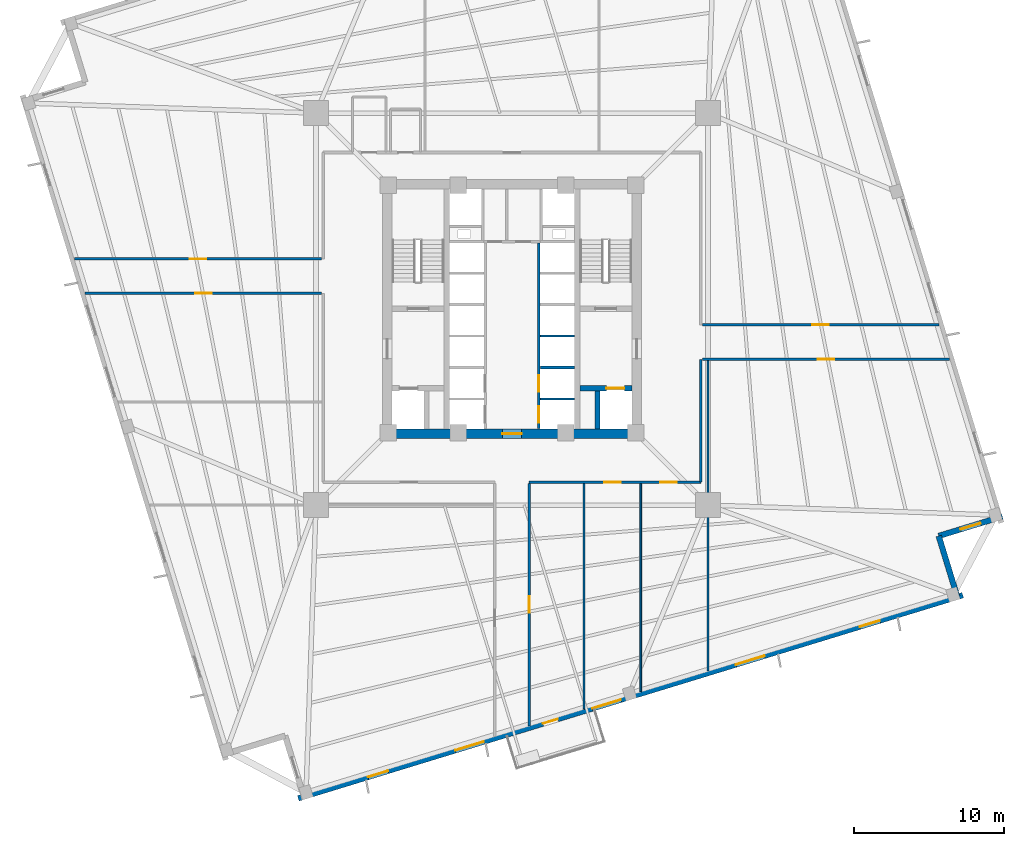
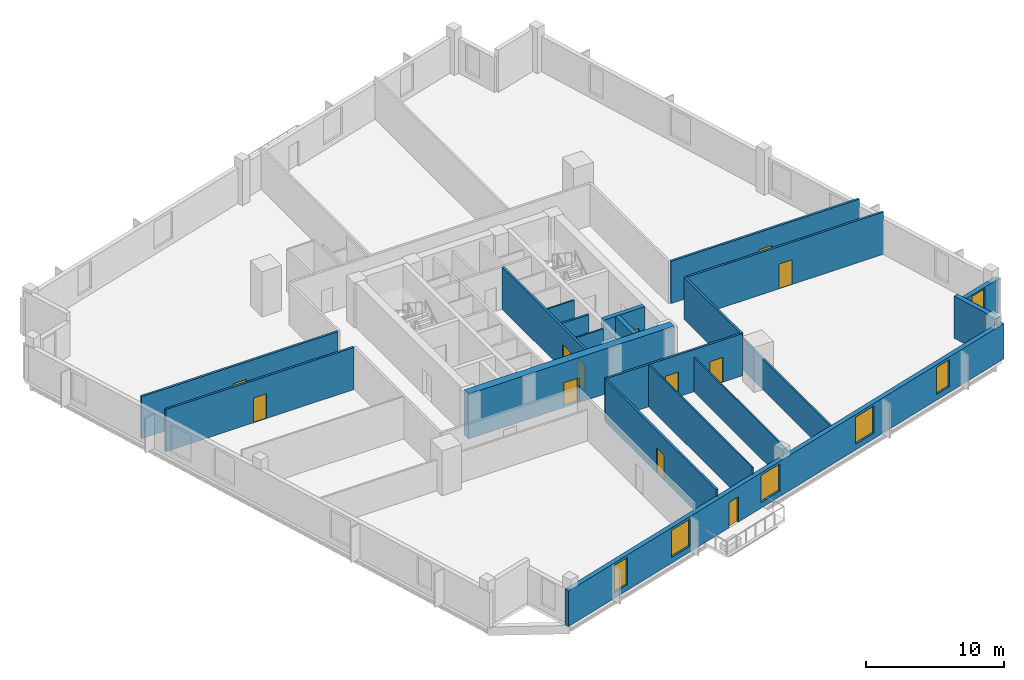
# One storey, part 3 of 8: 20 walls, 12 doors, 6 windows, 18 openings.
"""IFC4 building model written with IfcOpenShell, lengths in metres."""

from ifc_helpers import new_model, si_unit, direction, frame, frame_2d, origin, place, context, subcontext, project, spatial, rectangle, extrude, source, transform, mapped, material, layer, layer_set, type_object, element, fill, save


model = new_model("IFC4")

# Units and contexts
model_context = context("Model", 3, precision=1e-05, world=origin(), true_north=direction((0.0, 1.0)))
body_context = subcontext(model_context, "Body", "Model", "MODEL_VIEW")
ifc_project = project(units=[si_unit("LENGTHUNIT", "METRE"), si_unit("AREAUNIT", "SQUARE_METRE"), si_unit("VOLUMEUNIT", "CUBIC_METRE"), si_unit("PLANEANGLEUNIT", "RADIAN"), si_unit("MASSUNIT", "GRAM", prefix="KILO"), si_unit("THERMODYNAMICTEMPERATUREUNIT", "KELVIN")], contexts=[model_context])

# Site, building, storey
site_placement = place(None, origin())
site = spatial("IfcSite", under=ifc_project, at=site_placement, CompositionType="ELEMENT")
building_placement = place(site_placement, origin())
building = spatial("IfcBuilding", under=site, at=building_placement, Name="Kosmvard Interchange Tower", CompositionType="ELEMENT")
storey_placement = place(building_placement, frame((0.0, 0.0, 115.199951171875)))
storey = spatial("IfcBuildingStorey", under=building, at=storey_placement, Name="L27", CompositionType="ELEMENT", Elevation=115.199951171875)

# Wall
ifc_material_1 = material(Name="Acoustic gypsum partition system")
ifc_layer_1 = layer(ifc_material_1, 0.14990234375, Name="Acoustic gypsum partition system")
ifc_layer_set_1 = layer_set([ifc_layer_1], Name="Acoustic gypsum partition system")
wall_type_1 = type_object("IfcWallType", Name="Acoustic Suite & Meeting Partition 150", PredefinedType="PARTITIONING", material=ifc_layer_set_1)
wall_1_placement = place(storey_placement, frame((13.0810546875, -24.16650390625, 0.0), z_axis=(0.0, 0.0, 1.0), x_axis=(0.0, 1.0, 0.0)))
element("IfcWall", 1, at=wall_1_placement, inside=storey, type_object=wall_type_1, Name="L27 Room Partition 05.1", PredefinedType="PARTITIONING", context=body_context, shape_type="SweptSolid", body=[
    extrude(rectangle(XDim=20.721435546875, YDim=0.14990234375, at=frame_2d((10.36083984375, 0.0))), origin(), (0.0, 0.0, 1.0), 2.73193359375),
])

# Wall, openings, doors
ifc_material_2 = material(Name="Fire-rated gypsum partition system")
ifc_layer_2 = layer(ifc_material_2, 0.179931640625, Name="Fire-rated gypsum partition system")
ifc_layer_set_2 = layer_set([ifc_layer_2], Name="Fire-rated gypsum partition system")
wall_type_2 = type_object("IfcWallType", Name="Corridor & Hotel Compartment Partition 180", PredefinedType="PARTITIONING", material=ifc_layer_set_2)
wall_2_placement = place(storey_placement, frame((1.7900390625, -7.97998046875, 0.0), z_axis=(0.0, 0.0, 1.0), x_axis=(0.0, 1.0, 0.0)))
wall_2 = element("IfcWall", 2, at=wall_2_placement, inside=storey, type_object=wall_type_2, Name="L27 East Lift Bank Front Wall", PredefinedType="PARTITIONING", context=body_context, shape_type="SweptSolid", body=[
    extrude(rectangle(XDim=12.3798828125, YDim=0.179931640625, at=frame_2d((6.18994140625, 0.0))), origin(), (0.0, 0.0, 1.0), 3.739990234375),
])
opening_1_placement = place(wall_2_placement, frame((0.39990234375, 0.0, 0.0)))
opening_1 = element("IfcOpeningElement", 3, at=opening_1_placement, cuts=wall_2, Name="Opening LD-PL-L3-L27", PredefinedType="OPENING", context=body_context, shape_type="SweptSolid", body=[
    extrude(rectangle(XDim=1.10009765625, YDim=2.199951171875, at=frame_2d((0.550048828125, 1.10009765625))), frame((0.0, 0.10009765625, 0.0), z_axis=(0.0, -1.0, 0.0), x_axis=(1.0, 0.0, 0.0)), (0.0, 0.0, 1.0), 0.199951171875),
])
opening_2_placement = place(wall_2_placement, frame((2.4599609375, 0.0, 0.0)))
opening_2 = element("IfcOpeningElement", 4, at=opening_2_placement, cuts=wall_2, Name="Opening LD-PL-L4-L27", PredefinedType="OPENING", context=body_context, shape_type="SweptSolid", body=[
    extrude(rectangle(XDim=1.10009765625, YDim=2.199951171875, at=frame_2d((0.550048828125, 1.10009765625))), frame((0.0, 0.10009765625, 0.0), z_axis=(0.0, -1.0, 0.0), x_axis=(1.0, 0.0, 0.0)), (0.0, 0.0, 1.0), 0.199951171875),
])
ifc_material_3 = material(Name="Brushed stainless steel sliding leaf", Category="steel")
door_type_1 = type_object("IfcDoorType", Name="Passenger Lift Sliding Landing Door 1100x2200 EI60", OperationType="DOUBLE_DOOR_SLIDING", PredefinedType="DOOR", material=ifc_material_3)
shared_shape_1 = source(origin(), body_context, "Body", "SweptSolid", [
    extrude(rectangle(XDim=1.10009765625, YDim=2.199951171875, at=frame_2d((0.550048828125, 1.10009765625))), frame((0.0, 0.02490234375, 0.0), z_axis=(0.0, -1.0, 0.0), x_axis=(1.0, 0.0, 0.0)), (0.0, 0.0, 1.0), 0.050048828125),
])
door_1_placement = place(opening_1_placement, origin())
door_1 = element("IfcDoor", 5, at=door_1_placement, inside=storey, type_object=door_type_1, Name="Lift PL-L3 Landing Door L27", OperationType="DOUBLE_DOOR_SLIDING", OverallHeight=2.199951171875, OverallWidth=1.10009765625, PredefinedType="DOOR", context=body_context, shape_type="MappedRepresentation", body=[
    mapped(shared_shape_1, transform((0.0, 0.0, 0.0), scale=1.0)),
])
fill(opening_1, door_1)
door_2_placement = place(opening_2_placement, origin())
door_2 = element("IfcDoor", 6, at=door_2_placement, inside=storey, type_object=door_type_1, Name="Lift PL-L4 Landing Door L27", OperationType="DOUBLE_DOOR_SLIDING", OverallHeight=2.199951171875, OverallWidth=1.10009765625, PredefinedType="DOOR", context=body_context, shape_type="MappedRepresentation", body=[
    mapped(shared_shape_1, transform((0.0, 0.0, 0.0), scale=1.0)),
])
fill(opening_2, door_2)

wall_3_placement = place(storey_placement, frame((1.14990234375, -11.550048828125, 0.0), z_axis=(0.0, 0.0, 1.0), x_axis=(1.0, 0.0, 0.0)))
wall_3 = element("IfcWall", 7, at=wall_3_placement, inside=storey, type_object=wall_type_2, Name="L27 Corridor Wall CSE", PredefinedType="PARTITIONING", context=body_context, shape_type="SweptSolid", body=[
    extrude(rectangle(XDim=11.4501953125, YDim=0.179931640625, at=frame_2d((5.72509765625, 0.0))), origin(), (0.0, 0.0, 1.0), 3.739990234375),
])
opening_3_placement = place(wall_3_placement, frame((5.0, 0.0, 0.0)))
opening_3 = element("IfcOpeningElement", 8, at=opening_3_placement, cuts=wall_3, Name="Opening L27-D07", PredefinedType="OPENING", context=body_context, shape_type="SweptSolid", body=[
    extrude(rectangle(XDim=1.10009765625, YDim=2.199951171875, at=frame_2d((0.550048828125, 1.10009765625))), frame((0.0, 0.10009765625, 0.0), z_axis=(0.0, -1.0, 0.0), x_axis=(1.0, 0.0, 0.0)), (0.0, 0.0, 1.0), 0.199951171875),
])
opening_4_placement = place(wall_3_placement, frame((8.735595703125, 0.0, 0.0)))
opening_4 = element("IfcOpeningElement", 9, at=opening_4_placement, cuts=wall_3, Name="Opening L27-D08", PredefinedType="OPENING", context=body_context, shape_type="SweptSolid", body=[
    extrude(rectangle(XDim=1.10009765625, YDim=2.199951171875, at=frame_2d((0.550048828125, 1.10009765625))), frame((0.0, 0.10009765625, 0.0), z_axis=(0.0, -1.0, 0.0), x_axis=(1.0, 0.0, 0.0)), (0.0, 0.0, 1.0), 0.199951171875),
])
ifc_material_4 = material(Name="Engineered oak fire-rated timber", Category="wood")
door_type_2 = type_object("IfcDoorType", Name="Office Suite Entrance Door 1100x2200 FD30S", OperationType="NOTDEFINED", PredefinedType="DOOR", material=ifc_material_4)
door_3_placement = place(opening_3_placement, frame((1.10009765625, 0.0, 0.0), z_axis=(0.0, 0.0, 1.0), x_axis=(-1.0, 0.0, 0.0)))
door_3 = element("IfcDoor", 10, at=door_3_placement, inside=storey, type_object=door_type_2, Name="L27 Corporate Banking Kiosk Door", OperationType="SINGLE_SWING_LEFT", OverallHeight=2.199951171875, OverallWidth=1.10009765625, PredefinedType="DOOR", context=body_context, shape_type="MappedRepresentation", body=[
    mapped(shared_shape_1, transform((0.0, 0.0, 0.0), scale=1.0)),
])
fill(opening_3, door_3)
door_4_placement = place(opening_4_placement, frame((1.10009765625, 0.0, 0.0), z_axis=(0.0, 0.0, 1.0), x_axis=(-1.0, 0.0, 0.0)))
door_4 = element("IfcDoor", 11, at=door_4_placement, inside=storey, type_object=door_type_2, Name="L27 East Risk Office Door", OperationType="SINGLE_SWING_RIGHT", OverallHeight=2.199951171875, OverallWidth=1.10009765625, PredefinedType="DOOR", context=body_context, shape_type="MappedRepresentation", body=[
    mapped(shared_shape_1, transform((0.0, 0.0, 0.0), scale=1.0)),
])
fill(opening_4, door_4)

# Wall
wall_4_placement = place(storey_placement, frame((12.60009765625, -11.550048828125, 0.0), z_axis=(0.0, 0.0, 1.0), x_axis=(0.0, 1.0, 0.0)))
element("IfcWall", 12, at=wall_4_placement, inside=storey, type_object=wall_type_2, Name="L27 Corridor Wall CES", PredefinedType="PARTITIONING", context=body_context, shape_type="SweptSolid", body=[
    extrude(rectangle(XDim=8.199951171875, YDim=0.179931640625, at=frame_2d((4.10009765625, 0.0))), origin(), (0.0, 0.0, 1.0), 3.739990234375),
])

# Wall, opening, door
wall_5_placement = place(storey_placement, frame((-28.48681640625, 1.050048828125, 0.0), z_axis=(0.0, 0.0, 1.0), x_axis=(1.0, 0.0, 0.0)))
wall_5 = element("IfcWall", 13, at=wall_5_placement, inside=storey, type_object=wall_type_2, Name="L27 Corridor Wall SWS", PredefinedType="PARTITIONING", context=body_context, shape_type="SweptSolid", body=[
    extrude(rectangle(XDim=15.786865234375, YDim=0.179931640625, at=frame_2d((7.8935546875, 0.0))), origin(), (0.0, 0.0, 1.0), 3.739990234375),
])
opening_5_placement = place(wall_5_placement, frame((7.34326171875, 0.0, 0.0)))
opening_5 = element("IfcOpeningElement", 14, at=opening_5_placement, cuts=wall_5, Name="Opening L27-D10", PredefinedType="OPENING", context=body_context, shape_type="SweptSolid", body=[
    extrude(rectangle(XDim=1.10009765625, YDim=2.199951171875, at=frame_2d((0.550048828125, 1.10009765625))), frame((0.0, 0.10009765625, 0.0), z_axis=(0.0, -1.0, 0.0), x_axis=(1.0, 0.0, 0.0)), (0.0, 0.0, 1.0), 0.199951171875),
])
door_5_placement = place(opening_5_placement, frame((1.10009765625, 0.0, 0.0), z_axis=(0.0, 0.0, 1.0), x_axis=(-1.0, 0.0, 0.0)))
door_5 = element("IfcDoor", 15, at=door_5_placement, inside=storey, type_object=door_type_2, Name="L27 Coffee Bar Pantry Door", OperationType="SINGLE_SWING_RIGHT", OverallHeight=2.199951171875, OverallWidth=1.10009765625, PredefinedType="DOOR", context=body_context, shape_type="MappedRepresentation", body=[
    mapped(shared_shape_1, transform((0.0, 0.0, 0.0), scale=1.0)),
])
fill(opening_5, door_5)

wall_6_placement = place(storey_placement, frame((-29.18994140625, 3.35009765625, 0.0), z_axis=(0.0, 0.0, 1.0), x_axis=(1.0, 0.0, 0.0)))
wall_6 = element("IfcWall", 16, at=wall_6_placement, inside=storey, type_object=wall_type_2, Name="L27 Corridor Wall SWN", PredefinedType="PARTITIONING", context=body_context, shape_type="SweptSolid", body=[
    extrude(rectangle(XDim=16.489990234375, YDim=0.179931640625, at=frame_2d((8.2451171875, 0.0))), origin(), (0.0, 0.0, 1.0), 3.739990234375),
])
opening_6_placement = place(wall_6_placement, frame((7.695068359375, 0.0, 0.0)))
opening_6 = element("IfcOpeningElement", 17, at=opening_6_placement, cuts=wall_6, Name="Opening L27-D03", PredefinedType="OPENING", context=body_context, shape_type="SweptSolid", body=[
    extrude(rectangle(XDim=1.10009765625, YDim=2.199951171875, at=frame_2d((0.550048828125, 1.10009765625))), frame((0.0, 0.10009765625, 0.0), z_axis=(0.0, -1.0, 0.0), x_axis=(1.0, 0.0, 0.0)), (0.0, 0.0, 1.0), 0.199951171875),
])
door_6_placement = place(opening_6_placement, origin())
door_6 = element("IfcDoor", 18, at=door_6_placement, inside=storey, type_object=door_type_2, Name="L27 North-West Executive Lounge Door", OperationType="SINGLE_SWING_LEFT", OverallHeight=2.199951171875, OverallWidth=1.10009765625, PredefinedType="DOOR", context=body_context, shape_type="MappedRepresentation", body=[
    mapped(shared_shape_1, transform((0.0, 0.0, 0.0), scale=1.0)),
])
fill(opening_6, door_6)

wall_7_placement = place(storey_placement, frame((12.699951171875, -3.35009765625, 0.0), z_axis=(0.0, 0.0, 1.0), x_axis=(1.0, 0.0, 0.0)))
wall_7 = element("IfcWall", 19, at=wall_7_placement, inside=storey, type_object=wall_type_2, Name="L27 Corridor Wall SES", PredefinedType="PARTITIONING", context=body_context, shape_type="SweptSolid", body=[
    extrude(rectangle(XDim=16.489990234375, YDim=0.179931640625, at=frame_2d((8.2451171875, 0.0))), origin(), (0.0, 0.0, 1.0), 3.739990234375),
])
opening_7_placement = place(wall_7_placement, frame((7.720947265625, 0.0, 0.0)))
opening_7 = element("IfcOpeningElement", 20, at=opening_7_placement, cuts=wall_7, Name="Opening L27-D09", PredefinedType="OPENING", context=body_context, shape_type="SweptSolid", body=[
    extrude(rectangle(XDim=1.10009765625, YDim=2.199951171875, at=frame_2d((0.550048828125, 1.10009765625))), frame((0.0, 0.10009765625, 0.0), z_axis=(0.0, -1.0, 0.0), x_axis=(1.0, 0.0, 0.0)), (0.0, 0.0, 1.0), 0.199951171875),
])
door_7_placement = place(opening_7_placement, frame((1.10009765625, 0.0, 0.0), z_axis=(0.0, 0.0, 1.0), x_axis=(-1.0, 0.0, 0.0)))
door_7 = element("IfcDoor", 21, at=door_7_placement, inside=storey, type_object=door_type_2, Name="L27 East Quiet Study Door", OperationType="SINGLE_SWING_LEFT", OverallHeight=2.199951171875, OverallWidth=1.10009765625, PredefinedType="DOOR", context=body_context, shape_type="MappedRepresentation", body=[
    mapped(shared_shape_1, transform((0.0, 0.0, 0.0), scale=1.0)),
])
fill(opening_7, door_7)

wall_8_placement = place(storey_placement, frame((12.699951171875, -1.050048828125, 0.0), z_axis=(0.0, 0.0, 1.0), x_axis=(1.0, 0.0, 0.0)))
wall_8 = element("IfcWall", 22, at=wall_8_placement, inside=storey, type_object=wall_type_2, Name="L27 Corridor Wall SEN", PredefinedType="PARTITIONING", context=body_context, shape_type="SweptSolid", body=[
    extrude(rectangle(XDim=15.786865234375, YDim=0.179931640625, at=frame_2d((7.8935546875, 0.0))), origin(), (0.0, 0.0, 1.0), 3.739990234375),
])
opening_8_placement = place(wall_8_placement, frame((7.34326171875, 0.0, 0.0)))
opening_8 = element("IfcOpeningElement", 23, at=opening_8_placement, cuts=wall_8, Name="Opening L27-D05", PredefinedType="OPENING", context=body_context, shape_type="SweptSolid", body=[
    extrude(rectangle(XDim=1.10009765625, YDim=2.199951171875, at=frame_2d((0.550048828125, 1.10009765625))), frame((0.0, 0.10009765625, 0.0), z_axis=(0.0, -1.0, 0.0), x_axis=(1.0, 0.0, 0.0)), (0.0, 0.0, 1.0), 0.199951171875),
])
door_8_placement = place(opening_8_placement, origin())
door_8 = element("IfcDoor", 24, at=door_8_placement, inside=storey, type_object=door_type_2, Name="L27 North-East Reading Study Door", OperationType="SINGLE_SWING_LEFT", OverallHeight=2.199951171875, OverallWidth=1.10009765625, PredefinedType="DOOR", context=body_context, shape_type="MappedRepresentation", body=[
    mapped(shared_shape_1, transform((0.0, 0.0, 0.0), scale=1.0)),
])
fill(opening_8, door_8)

wall_9_placement = place(storey_placement, frame((1.14990234375, -27.814208984375, 0.0), z_axis=(0.0, 0.0, 1.0), x_axis=(0.0, 1.0, 0.0)))
wall_9 = element("IfcWall", 25, at=wall_9_placement, inside=storey, type_object=wall_type_2, Name="L27 Corridor Wall SSE", PredefinedType="PARTITIONING", context=body_context, shape_type="SweptSolid", body=[
    extrude(rectangle(XDim=16.164306640625, YDim=0.179931640625, at=frame_2d((8.08203125, 0.0))), origin(), (0.0, 0.0, 1.0), 3.739990234375),
])
opening_9_placement = place(wall_9_placement, frame((7.531982421875, 0.0, 0.0)))
opening_9 = element("IfcOpeningElement", 26, at=opening_9_placement, cuts=wall_9, Name="Opening L27-D06", PredefinedType="OPENING", context=body_context, shape_type="SweptSolid", body=[
    extrude(rectangle(XDim=1.10009765625, YDim=2.199951171875, at=frame_2d((0.550048828125, 1.10009765625))), frame((0.0, 0.10009765625, 0.0), z_axis=(0.0, -1.0, 0.0), x_axis=(1.0, 0.0, 0.0)), (0.0, 0.0, 1.0), 0.199951171875),
])
door_9_placement = place(opening_9_placement, frame((1.10009765625, 0.0, 0.0), z_axis=(0.0, 0.0, 1.0), x_axis=(-1.0, 0.0, 0.0)))
door_9 = element("IfcDoor", 27, at=door_9_placement, inside=storey, type_object=door_type_2, Name="L27 Exchange Travel Shop Door", OperationType="SINGLE_SWING_RIGHT", OverallHeight=2.199951171875, OverallWidth=1.10009765625, PredefinedType="DOOR", context=body_context, shape_type="MappedRepresentation", body=[
    mapped(shared_shape_1, transform((0.0, 0.0, 0.0), scale=1.0)),
])
fill(opening_9, door_9)

# Wall, openings, door, windows
ifc_material_5 = material(Name="Precast concrete C45/55", Category="concrete")
ifc_layer_3 = layer(ifc_material_5, 0.3798828125, Name="Precast concrete C45/55")
ifc_layer_set_3 = layer_set([ifc_layer_3], Name="Precast concrete C45/55")
wall_type_3 = type_object("IfcWallType", Name="Lower Tower Precast Pier Wall 380 C45/55", PredefinedType="STANDARD", material=ifc_layer_set_3)
wall_10_placement = place(storey_placement, frame((-14.26513671875, -32.65771484375, 0.0), z_axis=(0.0, 0.0, 1.0), x_axis=(0.956304320851, 0.292373127906, 0.0)))
wall_10 = element("IfcWall", 28, at=wall_10_placement, inside=storey, type_object=wall_type_3, Name="L27 Precast Facade Wall F-S", PredefinedType="STANDARD", context=body_context, shape_type="SweptSolid", body=[
    extrude(rectangle(XDim=46.380126953125, YDim=0.3798828125, at=frame_2d((23.18994140625, 0.0))), origin(), (0.0, 0.0, 1.0), 3.14013671875),
])
opening_10_placement = place(wall_10_placement, frame((17.06494140625, 0.0, 0.0)))
opening_10 = element("IfcOpeningElement", 29, at=opening_10_placement, cuts=wall_10, Name="Opening L27-BDS", PredefinedType="OPENING", context=body_context, shape_type="SweptSolid", body=[
    extrude(rectangle(XDim=1.050048828125, YDim=2.25, at=frame_2d((0.52490234375, 1.125))), frame((0.0, 0.199951171875, 0.0), z_axis=(0.0, -1.0, 0.0), x_axis=(1.0, 0.0, 0.0)), (0.0, 0.0, 1.0), 0.39990234375),
])
opening_11_placement = place(wall_10_placement, frame((4.865478515625, 0.0, 0.510009765625)))
opening_11 = element("IfcOpeningElement", 30, at=opening_11_placement, cuts=wall_10, Name="Opening L27-W01", PredefinedType="OPENING", context=body_context, shape_type="SweptSolid", body=[
    extrude(rectangle(XDim=1.39990234375, YDim=2.39990234375, at=frame_2d((0.699951171875, 1.199951171875))), frame((0.0, 0.199951171875, 0.0), z_axis=(0.0, -1.0, 0.0), x_axis=(1.0, 0.0, 0.0)), (0.0, 0.0, 1.0), 0.39990234375),
])
opening_12_placement = place(wall_10_placement, frame((10.9501953125, 0.0, 0.510009765625)))
opening_12 = element("IfcOpeningElement", 31, at=opening_12_placement, cuts=wall_10, Name="Opening L27-W02", PredefinedType="OPENING", context=body_context, shape_type="SweptSolid", body=[
    extrude(rectangle(XDim=2.0, YDim=2.39990234375, at=frame_2d((1.0, 1.199951171875))), frame((0.0, 0.199951171875, 0.0), z_axis=(0.0, -1.0, 0.0), x_axis=(1.0, 0.0, 0.0)), (0.0, 0.0, 1.0), 0.39990234375),
])
opening_13_placement = place(wall_10_placement, frame((20.512451171875, 0.0, 0.510009765625)))
opening_13 = element("IfcOpeningElement", 32, at=opening_13_placement, cuts=wall_10, Name="Opening L27-W03", PredefinedType="OPENING", context=body_context, shape_type="SweptSolid", body=[
    extrude(rectangle(XDim=2.0, YDim=2.39990234375, at=frame_2d((1.0, 1.199951171875))), frame((0.0, 0.199951171875, 0.0), z_axis=(0.0, -1.0, 0.0), x_axis=(1.0, 0.0, 0.0)), (0.0, 0.0, 1.0), 0.39990234375),
])
opening_14_placement = place(wall_10_placement, frame((30.538330078125, 0.0, 0.510009765625)))
opening_14 = element("IfcOpeningElement", 33, at=opening_14_placement, cuts=wall_10, Name="Opening L27-W04", PredefinedType="OPENING", context=body_context, shape_type="SweptSolid", body=[
    extrude(rectangle(XDim=2.0, YDim=2.39990234375, at=frame_2d((1.0, 1.199951171875))), frame((0.0, 0.199951171875, 0.0), z_axis=(0.0, -1.0, 0.0), x_axis=(1.0, 0.0, 0.0)), (0.0, 0.0, 1.0), 0.39990234375),
])
opening_15_placement = place(wall_10_placement, frame((39.186767578125, 0.0, 0.510009765625)))
opening_15 = element("IfcOpeningElement", 34, at=opening_15_placement, cuts=wall_10, Name="Opening L27-W05", PredefinedType="OPENING", context=body_context, shape_type="SweptSolid", body=[
    extrude(rectangle(XDim=1.39990234375, YDim=2.39990234375, at=frame_2d((0.699951171875, 1.199951171875))), frame((0.0, 0.199951171875, 0.0), z_axis=(0.0, -1.0, 0.0), x_axis=(1.0, 0.0, 0.0)), (0.0, 0.0, 1.0), 0.39990234375),
])
ifc_material_6 = material(Name="Anodised aluminium and safety glass", Category="aluminium")
door_type_3 = type_object("IfcDoorType", Name="Tree-Balcony Glazed Door 1050x2250", OperationType="NOTDEFINED", PredefinedType="DOOR", material=ifc_material_6)
shared_shape_2 = source(origin(), body_context, "Body", "SweptSolid", [
    extrude(rectangle(XDim=1.050048828125, YDim=2.25, at=frame_2d((0.52490234375, 1.125))), frame((0.0, 0.02490234375, 0.0), z_axis=(0.0, -1.0, 0.0), x_axis=(1.0, 0.0, 0.0)), (0.0, 0.0, 1.0), 0.050048828125),
])
door_10_placement = place(opening_10_placement, origin())
door_10 = element("IfcDoor", 35, at=door_10_placement, inside=storey, type_object=door_type_3, Name="L27 Tree-Balcony Door BAL-L27-S", OperationType="SINGLE_SWING_RIGHT", OverallHeight=2.25, OverallWidth=1.050048828125, PredefinedType="DOOR", context=body_context, shape_type="MappedRepresentation", body=[
    mapped(shared_shape_2, transform((0.0, 0.0, 0.0), scale=1.0)),
])
fill(opening_10, door_10)
ifc_material_7 = material(Name="Low-E solar-control double glazing", Category="glass")
window_type_1 = type_object("IfcWindowType", Name="Notched Corner Feature Window 1400x2400", PartitioningType="SINGLE_PANEL", PredefinedType="WINDOW", material=ifc_material_7)
shared_shape_3 = source(origin(), body_context, "Body", "SweptSolid", [
    extrude(rectangle(XDim=1.39990234375, YDim=2.39990234375, at=frame_2d((0.699951171875, 1.199951171875))), frame((0.0, 0.030029296875, 0.0), z_axis=(0.0, -1.0, 0.0), x_axis=(1.0, 0.0, 0.0)), (0.0, 0.0, 1.0), 0.06005859375),
])
window_1_placement = place(opening_11_placement, origin())
window_1 = element("IfcWindow", 36, at=window_1_placement, inside=storey, type_object=window_type_1, Name="L27 Facade Punched Window 01", OverallHeight=2.39990234375, OverallWidth=1.39990234375, PartitioningType="SINGLE_PANEL", PredefinedType="WINDOW", context=body_context, shape_type="MappedRepresentation", body=[
    mapped(shared_shape_3, transform((0.0, 0.0, 0.0), scale=1.0)),
])
fill(opening_11, window_1)
window_2_placement = place(opening_15_placement, origin())
window_2 = element("IfcWindow", 37, at=window_2_placement, inside=storey, type_object=window_type_1, Name="L27 Facade Punched Window 05", OverallHeight=2.39990234375, OverallWidth=1.39990234375, PartitioningType="SINGLE_PANEL", PredefinedType="WINDOW", context=body_context, shape_type="MappedRepresentation", body=[
    mapped(shared_shape_3, transform((0.0, 0.0, 0.0), scale=1.0)),
])
fill(opening_15, window_2)
window_type_2 = type_object("IfcWindowType", Name="Zone 2 Office Punched Window 2000x2400", PartitioningType="SINGLE_PANEL", PredefinedType="WINDOW", material=ifc_material_7)
shared_shape_4 = source(origin(), body_context, "Body", "SweptSolid", [
    extrude(rectangle(XDim=2.0, YDim=2.39990234375, at=frame_2d((1.0, 1.199951171875))), frame((0.0, 0.030029296875, 0.0), z_axis=(0.0, -1.0, 0.0), x_axis=(1.0, 0.0, 0.0)), (0.0, 0.0, 1.0), 0.06005859375),
])
window_3_placement = place(opening_12_placement, origin())
window_3 = element("IfcWindow", 38, at=window_3_placement, inside=storey, type_object=window_type_2, Name="L27 Facade Punched Window 02", OverallHeight=2.39990234375, OverallWidth=2.0, PartitioningType="SINGLE_PANEL", PredefinedType="WINDOW", context=body_context, shape_type="MappedRepresentation", body=[
    mapped(shared_shape_4, transform((0.0, 0.0, 0.0), scale=1.0)),
])
fill(opening_12, window_3)
window_4_placement = place(opening_13_placement, origin())
window_4 = element("IfcWindow", 39, at=window_4_placement, inside=storey, type_object=window_type_2, Name="L27 Facade Punched Window 03", OverallHeight=2.39990234375, OverallWidth=2.0, PartitioningType="SINGLE_PANEL", PredefinedType="WINDOW", context=body_context, shape_type="MappedRepresentation", body=[
    mapped(shared_shape_4, transform((0.0, 0.0, 0.0), scale=1.0)),
])
fill(opening_13, window_4)
window_5_placement = place(opening_14_placement, origin())
window_5 = element("IfcWindow", 40, at=window_5_placement, inside=storey, type_object=window_type_2, Name="L27 Facade Punched Window 04", OverallHeight=2.39990234375, OverallWidth=2.0, PartitioningType="SINGLE_PANEL", PredefinedType="WINDOW", context=body_context, shape_type="MappedRepresentation", body=[
    mapped(shared_shape_4, transform((0.0, 0.0, 0.0), scale=1.0)),
])
fill(opening_14, window_5)

# Wall
wall_11_placement = place(storey_placement, frame((29.724853515625, -19.20849609375, 0.0), z_axis=(0.0, 0.0, 1.0), x_axis=(-0.292345507338, 0.956312764915, 0.0)))
element("IfcWall", 41, at=wall_11_placement, inside=storey, type_object=wall_type_3, Name="L27 Precast Facade Wall N-SE1", PredefinedType="STANDARD", context=body_context, shape_type="SweptSolid", body=[
    extrude(rectangle(XDim=4.249755859375, YDim=0.3798828125, at=frame_2d((2.125, 0.0))), origin(), (0.0, 0.0, 1.0), 3.739990234375),
])

# Wall, opening, window
wall_12_placement = place(storey_placement, frame((28.482421875, -15.144287109375, 0.0), z_axis=(0.0, 0.0, 1.0), x_axis=(0.956304176051, 0.292373601522, 0.0)))
wall_12 = element("IfcWall", 42, at=wall_12_placement, inside=storey, type_object=wall_type_3, Name="L27 Precast Facade Wall N-SE2", PredefinedType="STANDARD", context=body_context, shape_type="SweptSolid", body=[
    extrude(rectangle(XDim=4.43994140625, YDim=0.3798828125, at=frame_2d((2.219970703125, 0.0))), origin(), (0.0, 0.0, 1.0), 3.0400390625),
])
opening_16_placement = place(wall_12_placement, frame((1.52001953125, 0.0, 0.510009765625)))
opening_16 = element("IfcOpeningElement", 43, at=opening_16_placement, cuts=wall_12, Name="Opening L27-W20", PredefinedType="OPENING", context=body_context, shape_type="SweptSolid", body=[
    extrude(rectangle(XDim=1.39990234375, YDim=2.39990234375, at=frame_2d((0.699951171875, 1.199951171875))), frame((0.0, 0.199951171875, 0.0), z_axis=(0.0, -1.0, 0.0), x_axis=(1.0, 0.0, 0.0)), (0.0, 0.0, 1.0), 0.39990234375),
])
window_6_placement = place(opening_16_placement, origin())
window_6 = element("IfcWindow", 44, at=window_6_placement, inside=storey, type_object=window_type_1, Name="L27 Corner Notch Window 20", OverallHeight=2.39990234375, OverallWidth=1.39990234375, PartitioningType="SINGLE_PANEL", PredefinedType="WINDOW", context=body_context, shape_type="MappedRepresentation", body=[
    mapped(shared_shape_3, transform((0.0, 0.0, 0.0), scale=1.0)),
])
fill(opening_16, window_6)

# Wall, opening, door
ifc_material_8 = material(Name="Concrete C70/85", Category="concrete")
ifc_layer_4 = layer(ifc_material_8, 0.64990234375, Name="Concrete C70/85")
ifc_layer_set_4 = layer_set([ifc_layer_4], Name="Concrete C70/85")
wall_type_4 = type_object("IfcWallType", Name="Mid Core Shear Wall 650 C70/85", PredefinedType="SHEAR", material=ifc_layer_set_4)
wall_13_placement = place(storey_placement, frame((-8.64990234375, -8.324951171875, 0.0), z_axis=(0.0, 0.0, 1.0), x_axis=(1.0, 0.0, 0.0)))
wall_13 = element("IfcWall", 45, at=wall_13_placement, inside=storey, type_object=wall_type_4, Name="L27 Core Shear Wall CW-S", PredefinedType="SHEAR", context=body_context, shape_type="SweptSolid", body=[
    extrude(rectangle(XDim=17.2998046875, YDim=0.64990234375, at=frame_2d((8.64990234375, 0.0))), origin(), (0.0, 0.0, 1.0), 4.0),
])
opening_17_placement = place(wall_13_placement, frame((8.0, 0.0, 0.0)))
opening_17 = element("IfcOpeningElement", 46, at=opening_17_placement, cuts=wall_13, Name="Opening L27-LD0", PredefinedType="OPENING", context=body_context, shape_type="SweptSolid", body=[
    extrude(rectangle(XDim=1.300048828125, YDim=2.199951171875, at=frame_2d((0.64990234375, 1.10009765625))), frame((0.0, 0.3349609375, 0.0), z_axis=(0.0, -1.0, 0.0), x_axis=(1.0, 0.0, 0.0)), (0.0, 0.0, 1.0), 0.669921875),
])
ifc_material_9 = material(Name="Painted fire-rated steel leaf", Category="steel")
door_type_4 = type_object("IfcDoorType", Name="Firefighting Lobby Door 1300x2200 EI60", OperationType="NOTDEFINED", PredefinedType="DOOR", material=ifc_material_9)
shared_shape_5 = source(origin(), body_context, "Body", "SweptSolid", [
    extrude(rectangle(XDim=1.300048828125, YDim=2.199951171875, at=frame_2d((0.64990234375, 1.10009765625))), frame((0.0, 0.02490234375, 0.0), z_axis=(0.0, -1.0, 0.0), x_axis=(1.0, 0.0, 0.0)), (0.0, 0.0, 1.0), 0.050048828125),
])
door_11_placement = place(opening_17_placement, frame((1.300048828125, 0.0, 0.0), z_axis=(0.0, 0.0, 1.0), x_axis=(-1.0, 0.0, 0.0)))
door_11 = element("IfcDoor", 47, at=door_11_placement, inside=storey, type_object=door_type_4, Name="L27 Passenger Lift Lobby South Door", OperationType="SINGLE_SWING_LEFT", OverallHeight=2.199951171875, OverallWidth=1.300048828125, PredefinedType="DOOR", context=body_context, shape_type="MappedRepresentation", body=[
    mapped(shared_shape_5, transform((0.0, 0.0, 0.0), scale=1.0)),
])
fill(opening_17, door_11)

# Walls
ifc_material_10 = material(Name="Gypsum board partition system")
ifc_layer_5 = layer(ifc_material_10, 0.1201171875, Name="Gypsum board partition system")
ifc_layer_set_5 = layer_set([ifc_layer_5], Name="Gypsum board partition system")
wall_type_5 = type_object("IfcWallType", Name="Office Cellular Partition 120", PredefinedType="PARTITIONING", material=ifc_layer_set_5)
wall_14_placement = place(storey_placement, frame((4.800048828125, -26.6982421875, 0.0), z_axis=(0.0, 0.0, 1.0), x_axis=(0.0, 1.0, 0.0)))
element("IfcWall", 48, at=wall_14_placement, inside=storey, type_object=wall_type_5, Name="L27 Room Partition 03.1", PredefinedType="PARTITIONING", context=body_context, shape_type="SweptSolid", body=[
    extrude(rectangle(XDim=15.05322265625, YDim=0.1201171875, at=frame_2d((7.526611328125, 0.0))), origin(), (0.0, 0.0, 1.0), 3.739990234375),
])
wall_15_placement = place(storey_placement, frame((8.60009765625, -25.536376953125, 0.0), z_axis=(0.0, 0.0, 1.0), x_axis=(0.0, 1.0, 0.0)))
element("IfcWall", 49, at=wall_15_placement, inside=storey, type_object=wall_type_5, Name="L27 Room Partition 04.1", PredefinedType="PARTITIONING", context=body_context, shape_type="SweptSolid", body=[
    extrude(rectangle(XDim=13.891357421875, YDim=0.1201171875, at=frame_2d((6.94580078125, 0.0))), origin(), (0.0, 0.0, 1.0), 3.0400390625),
])
ifc_material_11 = material(Name="Concrete blockwork masonry", Category="masonry")
ifc_layer_6 = layer(ifc_material_11, 0.179931640625, Name="Concrete blockwork masonry")
ifc_layer_set_6 = layer_set([ifc_layer_6], Name="Concrete blockwork masonry")
wall_type_6 = type_object("IfcWallType", Name="Riser & Lift Bank Divider Wall 180", PredefinedType="PARTITIONING", material=ifc_layer_set_6)
wall_16_placement = place(storey_placement, frame((1.889892578125, -3.89990234375, 0.0), z_axis=(0.0, 0.0, 1.0), x_axis=(1.0, 0.0, 0.0)))
element("IfcWall", 50, at=wall_16_placement, inside=storey, type_object=wall_type_6, Name="L27 East Bank Divider BD1", PredefinedType="PARTITIONING", context=body_context, shape_type="SweptSolid", body=[
    extrude(rectangle(XDim=2.280029296875, YDim=0.179931640625, at=frame_2d((1.14013671875, 0.0))), origin(), (0.0, 0.0, 1.0), 3.739990234375),
])
ifc_material_12 = material(Name="Fire-rated gypsum shaftwall system")
ifc_layer_7 = layer(ifc_material_12, 0.1201171875, Name="Fire-rated gypsum shaftwall system")
ifc_layer_set_7 = layer_set([ifc_layer_7], Name="Fire-rated gypsum shaftwall system")
wall_type_7 = type_object("IfcWallType", Name="Shaft & Riser Fire Partition 120 EI60", PredefinedType="PARTITIONING", material=ifc_layer_set_7)
for number, where, z_axis, x_axis, name in (
    (51, (1.89990234375, -6.0, 0.0), (0.0, 0.0, 1.0), (1.0, 0.0, 0.0), "L27 Shaft Divider PL-L3"),
    (52, (1.89990234375, -1.800048828125, 0.0), (0.0, 0.0, 1.0), (1.0, 0.0, 0.0), "L27 Shaft Divider PL-M3"),
):
    element("IfcWall", number, at=place(storey_placement, frame(where, z_axis=z_axis, x_axis=x_axis)), inside=storey, type_object=wall_type_7, Name=name, PredefinedType="PARTITIONING", context=body_context, shape_type="SweptSolid", body=[
        extrude(rectangle(XDim=2.260009765625, YDim=0.1201171875, at=frame_2d((1.1298828125, 0.0))), origin(), (0.0, 0.0, 1.0), 3.739990234375),
    ])

# Wall, opening, door
ifc_material_13 = material(Name="Concrete C60/75", Category="concrete")
ifc_layer_8 = layer(ifc_material_13, 0.360107421875, Name="Concrete C60/75")
ifc_layer_set_8 = layer_set([ifc_layer_8], Name="Concrete C60/75")
wall_type_8 = type_object("IfcWallType", Name="Stair & Lift Shaft Shear Wall 360 C60/75", PredefinedType="SHEAR", material=ifc_layer_set_8)
wall_17_placement = place(storey_placement, frame((4.5400390625, -5.280029296875, 0.0), z_axis=(0.0, 0.0, 1.0), x_axis=(1.0, 0.0, 0.0)))
wall_17 = element("IfcWall", 53, at=wall_17_placement, inside=storey, type_object=wall_type_8, Name="L27 Shaft Shear Wall SW-FF2", PredefinedType="SHEAR", context=body_context, shape_type="SweptSolid", body=[
    extrude(rectangle(XDim=3.4599609375, YDim=0.360107421875, at=frame_2d((1.72998046875, 0.0))), origin(), (0.0, 0.0, 1.0), 4.0),
])
opening_18_placement = place(wall_17_placement, frame((1.760009765625, 0.0, 0.0)))
opening_18 = element("IfcOpeningElement", 54, at=opening_18_placement, cuts=wall_17, Name="Opening LD-FF-2-L27", PredefinedType="OPENING", context=body_context, shape_type="SweptSolid", body=[
    extrude(rectangle(XDim=1.199951171875, YDim=2.25, at=frame_2d((0.60009765625, 1.125))), frame((0.0, 0.18994140625, 0.0), z_axis=(0.0, -1.0, 0.0), x_axis=(1.0, 0.0, 0.0)), (0.0, 0.0, 1.0), 0.380126953125),
])
door_type_5 = type_object("IfcDoorType", Name="Firefighting Lift Sliding Landing Door 1200x2250 EI120", OperationType="DOUBLE_DOOR_SLIDING", PredefinedType="DOOR", material=ifc_material_3)
shared_shape_6 = source(origin(), body_context, "Body", "SweptSolid", [
    extrude(rectangle(XDim=1.199951171875, YDim=2.25, at=frame_2d((0.60009765625, 1.125))), frame((0.0, 0.02490234375, 0.0), z_axis=(0.0, -1.0, 0.0), x_axis=(1.0, 0.0, 0.0)), (0.0, 0.0, 1.0), 0.050048828125),
])
door_12_placement = place(opening_18_placement, origin())
door_12 = element("IfcDoor", 55, at=door_12_placement, inside=storey, type_object=door_type_5, Name="Lift FF-2 Landing Door L27", OperationType="DOUBLE_DOOR_SLIDING", OverallHeight=2.25, OverallWidth=1.199951171875, PredefinedType="DOOR", context=body_context, shape_type="MappedRepresentation", body=[
    mapped(shared_shape_6, transform((0.0, 0.0, 0.0), scale=1.0)),
])
fill(opening_18, door_12)

# Wall
wall_18_placement = place(storey_placement, frame((5.7099609375, -8.0, 0.0), z_axis=(0.0, 0.0, 1.0), x_axis=(0.0, 1.0, 0.0)))
element("IfcWall", 56, at=wall_18_placement, inside=storey, type_object=wall_type_8, Name="L27 Shaft Shear Wall SW-SM2", PredefinedType="SHEAR", context=body_context, shape_type="SweptSolid", body=[
    extrude(rectangle(XDim=2.5400390625, YDim=0.360107421875, at=frame_2d((1.27001953125, 0.0))), origin(), (0.0, 0.0, 1.0), 4.0),
])

save(model, "model.ifc")
